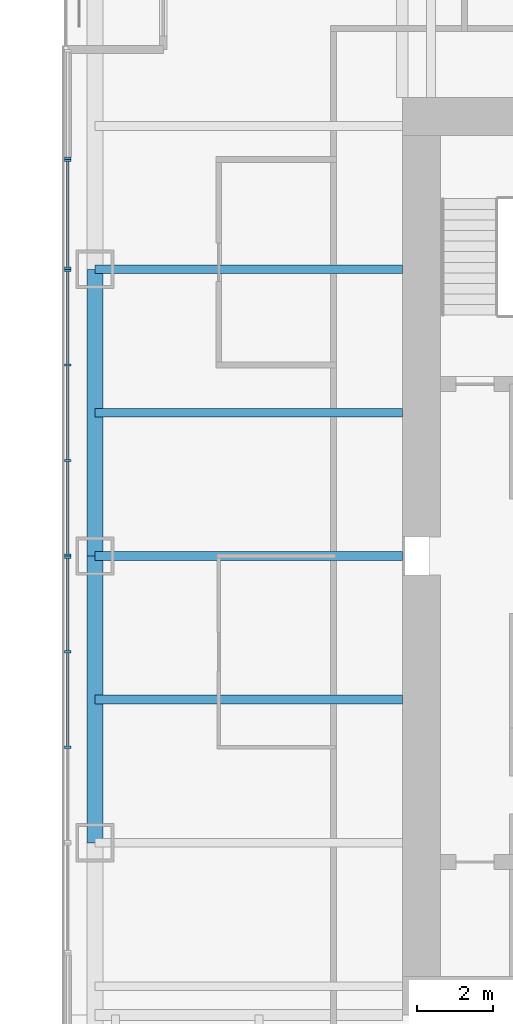
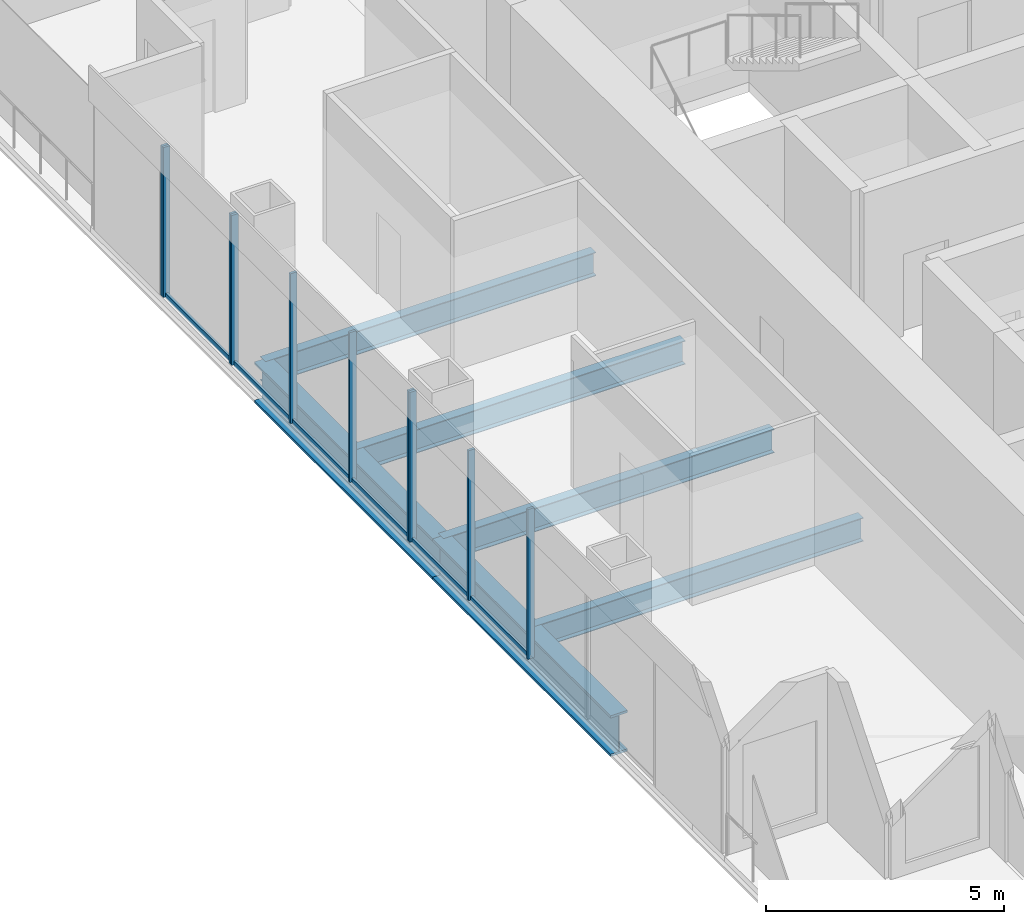
# One storey, part 4 of 14: 16 members, 6 beams, 4 elements without a shape of their own.
"""IFC4 building model written with IfcOpenShell, lengths in metres."""

from ifc_helpers import new_model, si_unit, direction, frame, origin, origin_2d, place, context, subcontext, project, spatial, rectangle, i_section, extrude, material, material_profile, profile_set, type_object, element, aggregate, save


model = new_model("IFC4")

# Units and contexts
model_context = context("Model", 3, precision=1e-05, world=origin(), true_north=direction((0.0, 1.0)))
body_context = subcontext(model_context, "Body", "Model", "MODEL_VIEW")
ifc_project = project(units=[si_unit("LENGTHUNIT", "METRE"), si_unit("AREAUNIT", "SQUARE_METRE"), si_unit("VOLUMEUNIT", "CUBIC_METRE"), si_unit("PLANEANGLEUNIT", "RADIAN"), si_unit("MASSUNIT", "GRAM", prefix="KILO")], contexts=[model_context])

# Site, building, storey
site_placement = place(None, origin())
site = spatial("IfcSite", under=ifc_project, at=site_placement, CompositionType="ELEMENT")
building_placement = place(site_placement, origin())
building = spatial("IfcBuilding", under=site, at=building_placement, Name="Tarangal Relay Tower", CompositionType="ELEMENT")
storey_placement = place(building_placement, frame((0.0, 0.0, 263.89990234375)))
storey = spatial("IfcBuildingStorey", under=building, at=storey_placement, Name="L57", CompositionType="ELEMENT", Elevation=263.89990234375)

# Beams
ifc_material_1 = material(Name="Steel ASTM A992", Category="steel")
ifc_material_profile_1 = material_profile(ifc_material_1, i_section(OverallWidth=0.41162109375, OverallDepth=1.049072265625, WebThickness=0.033935546875, FlangeThickness=0.059814453125, at=origin_2d()), Name="W40X431")
ifc_profile_set_1 = profile_set([ifc_material_profile_1], Name="Steel ASTM A992")
beam_type_1 = type_object("IfcBeamType", Name="Edge girder W40X431", PredefinedType="SPANDREL", material=ifc_profile_set_1)
for number, where, z_axis, x_axis, name in (
    (1, (-20.0400390625, -7.5, -0.67431640625), (0.0, 1.0, 0.0), (-1.0, 0.0, 0.0), "Edge girder EG1 W L57"),
    (2, (-20.0400390625, 0.0, -0.67431640625), (0.0, 1.0, 0.0), (-1.0, 0.0, 0.0), "Edge girder EG1 W L57"),
):
    element("IfcBeam", number, at=place(storey_placement, frame(where, z_axis=z_axis, x_axis=x_axis)), inside=storey, type_object=beam_type_1, Name=name, PredefinedType="SPANDREL", context=body_context, shape_type="SweptSolid", body=[
        extrude(i_section(OverallWidth=0.41162109375, OverallDepth=1.049072265625, WebThickness=0.033935546875, FlangeThickness=0.059814453125, at=origin_2d()), origin(), (0.0, 0.0, 1.0), 7.5),
    ])
ifc_material_profile_2 = material_profile(ifc_material_1, i_section(OverallWidth=0.228271484375, OverallDepth=0.607177734375, WebThickness=0.01123046875, FlangeThickness=0.017333984375, at=origin_2d()), Name="W24X76")
ifc_profile_set_2 = profile_set([ifc_material_profile_2], Name="Steel ASTM A992")
beam_type_2 = type_object("IfcBeamType", Name="Floor beam W24X76", PredefinedType="BEAM", material=ifc_profile_set_2)
for number, where, z_axis, x_axis, name in (
    (3, (-12.0, -3.75, -0.453369140625), (-1.0, 0.0, 0.0), (0.0, -1.0, 0.0), "Floor beam RB5 W L57"),
    (4, (-12.0, 0.0, -0.453369140625), (-1.0, 0.0, 0.0), (0.0, -1.0, 0.0), "Floor beam RB5 W L57"),
    (5, (-12.0, 3.75, -0.453369140625), (-1.0, 0.0, 0.0), (0.0, -1.0, 0.0), "Floor beam RB5 W L57"),
    (6, (-12.0, 7.5, -0.453369140625), (-1.0, 0.0, 0.0), (0.0, -1.0, 0.0), "Floor beam RB5 W L57"),
):
    element("IfcBeam", number, at=place(storey_placement, frame(where, z_axis=z_axis, x_axis=x_axis)), inside=storey, type_object=beam_type_2, Name=name, PredefinedType="BEAM", context=body_context, shape_type="SweptSolid", body=[
        extrude(i_section(OverallWidth=0.228271484375, OverallDepth=0.607177734375, WebThickness=0.01123046875, FlangeThickness=0.017333984375, at=origin_2d()), origin(), (0.0, 0.0, 1.0), 8.0400390625),
    ])

# Curtain wall, members
ifc_material_2 = material(Name="Unitised curtain wall, dark glass and black aluminium", Category="aluminium")
curtain_wall_type_1 = type_object("IfcCurtainWallType", Name="Curtain wall CW-B", PredefinedType="USERDEFINED", material=ifc_material_2)
curtain_wall_1_placement = place(storey_placement, origin())
curtain_wall_1 = element("IfcCurtainWall", 7, at=curtain_wall_1_placement, inside=storey, type_object=curtain_wall_type_1, Name="Curtain wall CW-B W facade L57", ObjectType="UNITISED CURTAIN WALL", PredefinedType="USERDEFINED")
ifc_material_3 = material(Name="Black anodised aluminium mullion", Category="aluminium")
ifc_material_profile_3 = material_profile(ifc_material_3, rectangle(XDim=0.159912109375, YDim=0.06005859375, at=origin_2d()), Name="CW-BM 60X160")
ifc_profile_set_3 = profile_set([ifc_material_profile_3], Name="Black anodised aluminium mullion")
member_type_1 = type_object("IfcMemberType", Name="Mullion CW-B 60 x 160", PredefinedType="MULLION", material=ifc_profile_set_3)
member_1_placement = place(storey_placement, frame((-20.75, -5.0, 0.0), z_axis=(0.0, 0.0, 1.0), x_axis=(-1.0, 0.0, 0.0)))
member_1 = element("IfcMember", 8, at=member_1_placement, type_object=member_type_1, Name="CW-B mullion 2", PredefinedType="MULLION", context=body_context, shape_type="SweptSolid", body=[
    extrude(rectangle(XDim=0.159912109375, YDim=0.06005859375, at=origin_2d()), origin(), (0.0, 0.0, 1.0), 3.85009765625),
])
member_2_placement = place(storey_placement, frame((-20.75, -2.5, 0.0), z_axis=(0.0, 0.0, 1.0), x_axis=(-1.0, 0.0, 0.0)))
member_2 = element("IfcMember", 9, at=member_2_placement, type_object=member_type_1, Name="CW-B mullion 3", PredefinedType="MULLION", context=body_context, shape_type="SweptSolid", body=[
    extrude(rectangle(XDim=0.159912109375, YDim=0.06005859375, at=origin_2d()), origin(), (0.0, 0.0, 1.0), 3.85009765625),
])
member_3_placement = place(storey_placement, frame((-20.75, -0.030029296875, 0.0), z_axis=(0.0, 0.0, 1.0), x_axis=(-1.0, 0.0, 0.0)))
member_3 = element("IfcMember", 10, at=member_3_placement, type_object=member_type_1, Name="CW-B mullion 4", PredefinedType="MULLION", context=body_context, shape_type="SweptSolid", body=[
    extrude(rectangle(XDim=0.159912109375, YDim=0.06005859375, at=origin_2d()), origin(), (0.0, 0.0, 1.0), 3.85009765625),
])

curtain_wall_2_placement = place(storey_placement, origin())
curtain_wall_2 = element("IfcCurtainWall", 11, at=curtain_wall_2_placement, inside=storey, type_object=curtain_wall_type_1, Name="Curtain wall CW-B W facade L57", ObjectType="UNITISED CURTAIN WALL", PredefinedType="USERDEFINED")
member_4_placement = place(storey_placement, frame((-20.75, 0.030029296875, 0.0), z_axis=(0.0, 0.0, 1.0), x_axis=(-1.0, 0.0, 0.0)))
member_4 = element("IfcMember", 12, at=member_4_placement, type_object=member_type_1, Name="CW-B mullion 1", PredefinedType="MULLION", context=body_context, shape_type="SweptSolid", body=[
    extrude(rectangle(XDim=0.159912109375, YDim=0.06005859375, at=origin_2d()), origin(), (0.0, 0.0, 1.0), 3.85009765625),
])
member_5_placement = place(storey_placement, frame((-20.75, 2.5, 0.0), z_axis=(0.0, 0.0, 1.0), x_axis=(-1.0, 0.0, 0.0)))
member_5 = element("IfcMember", 13, at=member_5_placement, type_object=member_type_1, Name="CW-B mullion 2", PredefinedType="MULLION", context=body_context, shape_type="SweptSolid", body=[
    extrude(rectangle(XDim=0.159912109375, YDim=0.06005859375, at=origin_2d()), origin(), (0.0, 0.0, 1.0), 3.85009765625),
])
member_6_placement = place(storey_placement, frame((-20.75, 5.0, 0.0), z_axis=(0.0, 0.0, 1.0), x_axis=(-1.0, 0.0, 0.0)))
member_6 = element("IfcMember", 14, at=member_6_placement, type_object=member_type_1, Name="CW-B mullion 3", PredefinedType="MULLION", context=body_context, shape_type="SweptSolid", body=[
    extrude(rectangle(XDim=0.159912109375, YDim=0.06005859375, at=origin_2d()), origin(), (0.0, 0.0, 1.0), 3.85009765625),
])
member_7_placement = place(storey_placement, frame((-20.75, 7.469970703125, 0.0), z_axis=(0.0, 0.0, 1.0), x_axis=(-1.0, 0.0, 0.0)))
member_7 = element("IfcMember", 15, at=member_7_placement, type_object=member_type_1, Name="CW-B mullion 4", PredefinedType="MULLION", context=body_context, shape_type="SweptSolid", body=[
    extrude(rectangle(XDim=0.159912109375, YDim=0.06005859375, at=origin_2d()), origin(), (0.0, 0.0, 1.0), 3.85009765625),
])

curtain_wall_3_placement = place(storey_placement, origin())
curtain_wall_3 = element("IfcCurtainWall", 16, at=curtain_wall_3_placement, inside=storey, type_object=curtain_wall_type_1, Name="Curtain wall CW-B W facade L57", ObjectType="UNITISED CURTAIN WALL", PredefinedType="USERDEFINED")
member_8_placement = place(storey_placement, frame((-20.75, 7.530029296875, 0.0), z_axis=(0.0, 0.0, 1.0), x_axis=(-1.0, 0.0, 0.0)))
member_8 = element("IfcMember", 17, at=member_8_placement, type_object=member_type_1, Name="CW-B mullion 1", PredefinedType="MULLION", context=body_context, shape_type="SweptSolid", body=[
    extrude(rectangle(XDim=0.159912109375, YDim=0.06005859375, at=origin_2d()), origin(), (0.0, 0.0, 1.0), 3.85009765625),
])
member_9_placement = place(storey_placement, frame((-20.75, 10.344970703125, 0.0), z_axis=(0.0, 0.0, 1.0), x_axis=(-1.0, 0.0, 0.0)))
member_9 = element("IfcMember", 18, at=member_9_placement, type_object=member_type_1, Name="CW-B mullion 2", PredefinedType="MULLION", context=body_context, shape_type="SweptSolid", body=[
    extrude(rectangle(XDim=0.159912109375, YDim=0.06005859375, at=origin_2d()), origin(), (0.0, 0.0, 1.0), 3.85009765625),
])

# Curtain wall, member
ifc_material_4 = material(Name="Unitised curtain wall frame, black aluminium, with metal clad infill walls", Category="aluminium")
curtain_wall_type_2 = type_object("IfcCurtainWallType", Name="Curtain wall CW-BO", PredefinedType="USERDEFINED", material=ifc_material_4)
curtain_wall_4_placement = place(storey_placement, origin())
curtain_wall_4 = element("IfcCurtainWall", 19, at=curtain_wall_4_placement, inside=storey, type_object=curtain_wall_type_2, Name="Curtain wall CW-BO W facade L57", ObjectType="UNITISED CURTAIN WALL", PredefinedType="USERDEFINED")
ifc_material_profile_4 = material_profile(ifc_material_3, rectangle(XDim=0.159912109375, YDim=0.06005859375, at=origin_2d()), Name="CW-BOM 60X160")
ifc_profile_set_4 = profile_set([ifc_material_profile_4], Name="Black anodised aluminium mullion")
member_type_2 = type_object("IfcMemberType", Name="Mullion CW-BO 60 x 160", PredefinedType="MULLION", material=ifc_profile_set_4)
member_10_placement = place(storey_placement, frame((-20.75, 10.405029296875, 0.0), z_axis=(0.0, 0.0, 1.0), x_axis=(-1.0, 0.0, 0.0)))
member_10 = element("IfcMember", 20, at=member_10_placement, type_object=member_type_2, Name="CW-BO mullion 1", PredefinedType="MULLION", context=body_context, shape_type="SweptSolid", body=[
    extrude(rectangle(XDim=0.159912109375, YDim=0.06005859375, at=origin_2d()), origin(), (0.0, 0.0, 1.0), 3.85009765625),
])
aggregate(curtain_wall_4, [member_10])

# Member
ifc_material_5 = material(Name="Black anodised aluminium transom", Category="aluminium")
ifc_material_profile_5 = material_profile(ifc_material_5, rectangle(XDim=0.06005859375, YDim=0.1298828125, at=origin_2d()), Name="CW-BT 60X130")
ifc_profile_set_5 = profile_set([ifc_material_profile_5], Name="Black anodised aluminium transom")
member_type_3 = type_object("IfcMemberType", Name="Transom CW-B 60 x 130", PredefinedType="USERDEFINED", material=ifc_profile_set_5)
member_11_placement = place(storey_placement, frame((-20.75, -4.969970703125, 0.030029296875), z_axis=(0.0, 1.0, 0.0), x_axis=(-1.0, 0.0, 0.0)))
member_11 = element("IfcMember", 21, at=member_11_placement, type_object=member_type_3, Name="CW-B transom 2.1", ObjectType="TRANSOM", PredefinedType="USERDEFINED", context=body_context, shape_type="SweptSolid", body=[
    extrude(rectangle(XDim=0.06005859375, YDim=0.1298828125, at=origin_2d()), origin(), (0.0, 0.0, 1.0), 2.43994140625),
])

member_12_placement = place(storey_placement, frame((-20.75, -2.469970703125, 0.030029296875), z_axis=(0.0, 1.0, 0.0), x_axis=(-1.0, 0.0, 0.0)))
member_12 = element("IfcMember", 22, at=member_12_placement, type_object=member_type_3, Name="CW-B transom 3.1", ObjectType="TRANSOM", PredefinedType="USERDEFINED", context=body_context, shape_type="SweptSolid", body=[
    extrude(rectangle(XDim=0.06005859375, YDim=0.1298828125, at=origin_2d()), origin(), (0.0, 0.0, 1.0), 2.409912109375),
])

aggregate(curtain_wall_1, [member_1, member_2, member_3, member_11, member_12])

member_13_placement = place(storey_placement, frame((-20.75, 0.06005859375, 0.030029296875), z_axis=(0.0, 1.0, 0.0), x_axis=(-1.0, 0.0, 0.0)))
member_13 = element("IfcMember", 23, at=member_13_placement, type_object=member_type_3, Name="CW-B transom 1.1", ObjectType="TRANSOM", PredefinedType="USERDEFINED", context=body_context, shape_type="SweptSolid", body=[
    extrude(rectangle(XDim=0.06005859375, YDim=0.1298828125, at=origin_2d()), origin(), (0.0, 0.0, 1.0), 2.409912109375),
])

member_14_placement = place(storey_placement, frame((-20.75, 2.530029296875, 0.030029296875), z_axis=(0.0, 1.0, 0.0), x_axis=(-1.0, 0.0, 0.0)))
member_14 = element("IfcMember", 24, at=member_14_placement, type_object=member_type_3, Name="CW-B transom 2.1", ObjectType="TRANSOM", PredefinedType="USERDEFINED", context=body_context, shape_type="SweptSolid", body=[
    extrude(rectangle(XDim=0.06005859375, YDim=0.1298828125, at=origin_2d()), origin(), (0.0, 0.0, 1.0), 2.43994140625),
])

member_15_placement = place(storey_placement, frame((-20.75, 5.030029296875, 0.030029296875), z_axis=(0.0, 1.0, 0.0), x_axis=(-1.0, 0.0, 0.0)))
member_15 = element("IfcMember", 25, at=member_15_placement, type_object=member_type_3, Name="CW-B transom 3.1", ObjectType="TRANSOM", PredefinedType="USERDEFINED", context=body_context, shape_type="SweptSolid", body=[
    extrude(rectangle(XDim=0.06005859375, YDim=0.1298828125, at=origin_2d()), origin(), (0.0, 0.0, 1.0), 2.409912109375),
])

aggregate(curtain_wall_2, [member_4, member_5, member_6, member_7, member_13, member_14, member_15])

member_16_placement = place(storey_placement, frame((-20.75, 7.56005859375, 0.030029296875), z_axis=(0.0, 1.0, 0.0), x_axis=(-1.0, 0.0, 0.0)))
member_16 = element("IfcMember", 26, at=member_16_placement, type_object=member_type_3, Name="CW-B transom 1.1", ObjectType="TRANSOM", PredefinedType="USERDEFINED", context=body_context, shape_type="SweptSolid", body=[
    extrude(rectangle(XDim=0.06005859375, YDim=0.1298828125, at=origin_2d()), origin(), (0.0, 0.0, 1.0), 2.7548828125),
])

aggregate(curtain_wall_3, [member_8, member_9, member_16])

save(model, "model.ifc")
